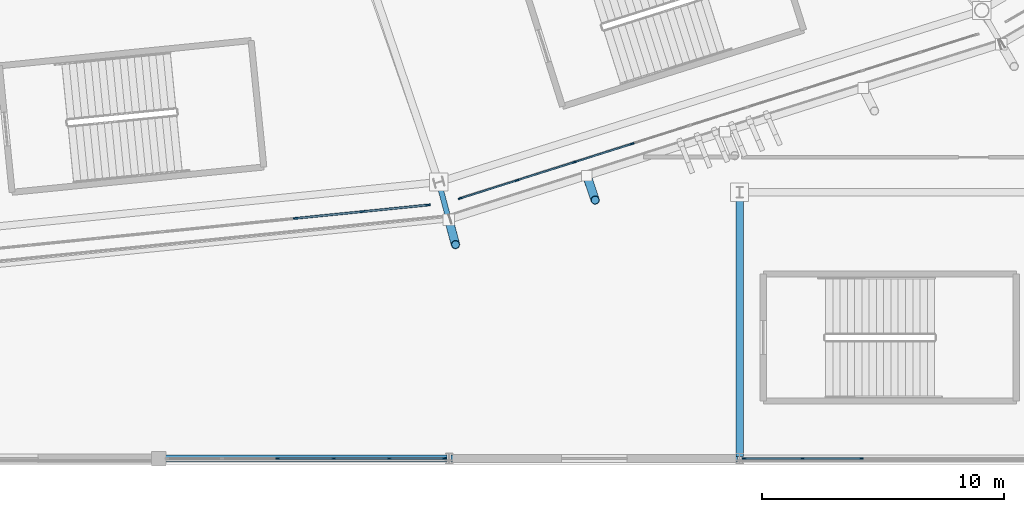
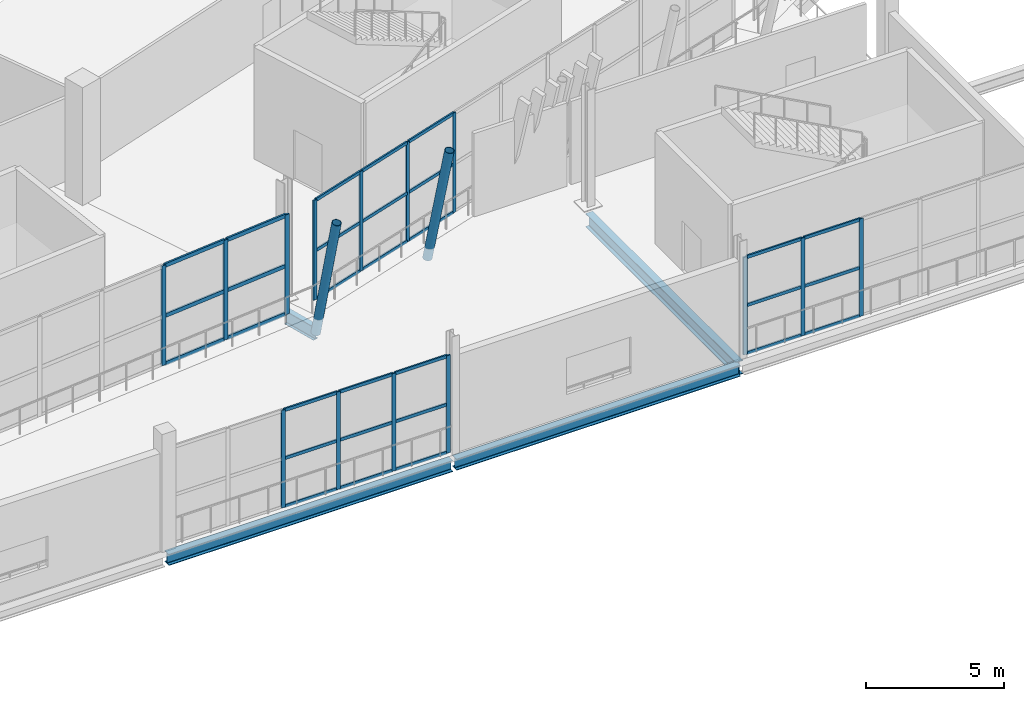
# One storey, part 49 of 178: 46 members, 4 beams, 4 elements without a shape of their own.
"""IFC4 building model written with IfcOpenShell, lengths in metres."""

from ifc_helpers import new_model, si_unit, direction, frame, origin, origin_2d, place, context, subcontext, project, spatial, rectangle, hollow_circle, i_section, extrude, material, material_profile, profile_set, type_object, element, aggregate, save


model = new_model("IFC4")

# Units and contexts
model_context = context("Model", 3, precision=1e-05, world=origin(), true_north=direction((0.0, 1.0)))
body_context = subcontext(model_context, "Body", "Model", "MODEL_VIEW")
ifc_project = project(units=[si_unit("LENGTHUNIT", "METRE"), si_unit("AREAUNIT", "SQUARE_METRE"), si_unit("VOLUMEUNIT", "CUBIC_METRE"), si_unit("PLANEANGLEUNIT", "RADIAN"), si_unit("MASSUNIT", "GRAM", prefix="KILO")], contexts=[model_context])

# Site, building, storey
site_placement = place(None, origin())
site = spatial("IfcSite", under=ifc_project, at=site_placement, CompositionType="ELEMENT")
building_placement = place(site_placement, origin())
building = spatial("IfcBuilding", under=site, at=building_placement, Name="Zlatoyarsky Gate Stadium", CompositionType="ELEMENT")
storey_placement = place(building_placement, frame((0.0, 0.0, 5.39990234375)))
storey = spatial("IfcBuildingStorey", under=building, at=storey_placement, Name="L01", CompositionType="ELEMENT", Elevation=5.39990234375)

# Curtain wall, members
ifc_material_1 = material(Name="Thermally broken anodised aluminium curtain wall", Category="aluminium")
curtain_wall_type_1 = type_object("IfcCurtainWallType", Name="MONUMENTAL ARCHED GATE GLAZING LOWER", PredefinedType="USERDEFINED", material=ifc_material_1)
curtain_wall_1_placement = place(storey_placement, origin())
curtain_wall_1 = element("IfcCurtainWall", 1, at=curtain_wall_1_placement, inside=storey, type_object=curtain_wall_type_1, Name="Curtain wall CW-L01-18", ObjectType="ARCHED GATE GLAZING", PredefinedType="USERDEFINED")
ifc_material_2 = material(Name="Anodised aluminium 6063-T6", Category="aluminium")
ifc_material_profile_1 = material_profile(ifc_material_2, rectangle(XDim=0.074951171875, YDim=0.18994140625, at=origin_2d()), Name="ALU 75X190")
ifc_profile_set_1 = profile_set([ifc_material_profile_1], Name="Anodised aluminium 6063-T6")
member_type_1 = type_object("IfcMemberType", Name="ALUMINIUM GATE MULLION 75X190", PredefinedType="MULLION", material=ifc_profile_set_1)
member_1_placement = place(storey_placement, frame((129.1640625, 9.922607421875, 0.0), z_axis=(0.0, 0.0, 1.0), x_axis=(-0.100302795257, 0.994956958498, 0.0)))
member_1 = element("IfcMember", 2, at=member_1_placement, type_object=member_type_1, Name="CW-AG1 mullion 6", PredefinedType="MULLION", context=body_context, shape_type="SweptSolid", body=[
    extrude(rectangle(XDim=0.074951171875, YDim=0.18994140625, at=origin_2d()), origin(), (0.0, 0.0, 1.0), 4.400146484375),
])
member_2_placement = place(storey_placement, frame((131.911376953125, 10.199462890625, 0.0), z_axis=(0.0, 0.0, 1.0), x_axis=(-0.100302795257, 0.994956958498, 0.0)))
member_2 = element("IfcMember", 3, at=member_2_placement, type_object=member_type_1, Name="CW-AG1 mullion 7", PredefinedType="MULLION", context=body_context, shape_type="SweptSolid", body=[
    extrude(rectangle(XDim=0.074951171875, YDim=0.18994140625, at=origin_2d()), origin(), (0.0, 0.0, 1.0), 4.400146484375),
])
member_3_placement = place(storey_placement, frame((134.621337890625, 10.47265625, 0.0), z_axis=(0.0, 0.0, 1.0), x_axis=(-0.100302795257, 0.994956958498, 0.0)))
member_3 = element("IfcMember", 4, at=member_3_placement, type_object=member_type_1, Name="CW-AG1 mullion 8", PredefinedType="MULLION", context=body_context, shape_type="SweptSolid", body=[
    extrude(rectangle(XDim=0.074951171875, YDim=0.18994140625, at=origin_2d()), origin(), (0.0, 0.0, 1.0), 4.400146484375),
])
ifc_material_profile_2 = material_profile(ifc_material_2, rectangle(XDim=0.074951171875, YDim=0.169921875, at=origin_2d()), Name="ALU 75X170")
ifc_profile_set_2 = profile_set([ifc_material_profile_2], Name="Anodised aluminium 6063-T6")
member_type_2 = type_object("IfcMemberType", Name="ALUMINIUM GATE TRANSOM 75X170", PredefinedType="USERDEFINED", material=ifc_profile_set_2)
member_4_placement = place(storey_placement, frame((129.201416015625, 9.92626953125, 0.03759765625), z_axis=(0.994953149133, 0.100340575193, 0.0), x_axis=(-0.100340575193, 0.994953149133, 0.0)))
member_4 = element("IfcMember", 5, at=member_4_placement, type_object=member_type_2, Name="CW-AG1 transom 6.1", ObjectType="TRANSOM", PredefinedType="USERDEFINED", context=body_context, shape_type="SweptSolid", body=[
    extrude(rectangle(XDim=0.074951171875, YDim=0.169921875, at=origin_2d()), origin(), (0.0, 0.0, 1.0), 2.686279296875),
])
member_5_placement = place(storey_placement, frame((129.201416015625, 9.92626953125, 2.150146484375), z_axis=(0.994953149133, 0.100340575193, 0.0), x_axis=(-0.100340575193, 0.994953149133, 0.0)))
member_5 = element("IfcMember", 6, at=member_5_placement, type_object=member_type_2, Name="CW-AG1 transom 6.2", ObjectType="TRANSOM", PredefinedType="USERDEFINED", context=body_context, shape_type="SweptSolid", body=[
    extrude(rectangle(XDim=0.074951171875, YDim=0.169921875, at=origin_2d()), origin(), (0.0, 0.0, 1.0), 2.686279296875),
])
member_6_placement = place(storey_placement, frame((129.201416015625, 9.92626953125, 4.362548828125), z_axis=(0.994953149133, 0.100340575193, 0.0), x_axis=(-0.100340575193, 0.994953149133, 0.0)))
member_6 = element("IfcMember", 7, at=member_6_placement, type_object=member_type_2, Name="CW-AG1 transom 6.3", ObjectType="TRANSOM", PredefinedType="USERDEFINED", context=body_context, shape_type="SweptSolid", body=[
    extrude(rectangle(XDim=0.074951171875, YDim=0.169921875, at=origin_2d()), origin(), (0.0, 0.0, 1.0), 2.686279296875),
])
member_7_placement = place(storey_placement, frame((131.94873046875, 10.203369140625, 0.03759765625), z_axis=(0.994958393325, 0.100288561417, 0.0), x_axis=(-0.100288561417, 0.994958393325, 0.0)))
member_7 = element("IfcMember", 8, at=member_7_placement, type_object=member_type_2, Name="CW-AG1 transom 7.1", ObjectType="TRANSOM", PredefinedType="USERDEFINED", context=body_context, shape_type="SweptSolid", body=[
    extrude(rectangle(XDim=0.074951171875, YDim=0.169921875, at=origin_2d()), origin(), (0.0, 0.0, 1.0), 2.648681640625),
])
member_8_placement = place(storey_placement, frame((131.94873046875, 10.203369140625, 2.150146484375), z_axis=(0.994958393325, 0.100288561417, 0.0), x_axis=(-0.100288561417, 0.994958393325, 0.0)))
member_8 = element("IfcMember", 9, at=member_8_placement, type_object=member_type_2, Name="CW-AG1 transom 7.2", ObjectType="TRANSOM", PredefinedType="USERDEFINED", context=body_context, shape_type="SweptSolid", body=[
    extrude(rectangle(XDim=0.074951171875, YDim=0.169921875, at=origin_2d()), origin(), (0.0, 0.0, 1.0), 2.648681640625),
])
member_9_placement = place(storey_placement, frame((131.94873046875, 10.203369140625, 4.362548828125), z_axis=(0.994958393325, 0.100288561417, 0.0), x_axis=(-0.100288561417, 0.994958393325, 0.0)))
member_9 = element("IfcMember", 10, at=member_9_placement, type_object=member_type_2, Name="CW-AG1 transom 7.3", ObjectType="TRANSOM", PredefinedType="USERDEFINED", context=body_context, shape_type="SweptSolid", body=[
    extrude(rectangle(XDim=0.074951171875, YDim=0.169921875, at=origin_2d()), origin(), (0.0, 0.0, 1.0), 2.648681640625),
])
aggregate(curtain_wall_1, [member_1, member_2, member_3, member_4, member_5, member_6, member_7, member_8, member_9])

curtain_wall_type_2 = type_object("IfcCurtainWallType", Name="UNITISED HOSPITALITY GLAZING L01", PredefinedType="USERDEFINED", material=ifc_material_1)
curtain_wall_2_placement = place(storey_placement, origin())
curtain_wall_2 = element("IfcCurtainWall", 11, at=curtain_wall_2_placement, inside=storey, type_object=curtain_wall_type_2, Name="Curtain wall CW-L01-19", ObjectType="UNITISED GLAZING", PredefinedType="USERDEFINED")
ifc_material_profile_3 = material_profile(ifc_material_2, rectangle(XDim=0.06494140625, YDim=0.159912109375, at=origin_2d()), Name="ALU 65X160")
ifc_profile_set_3 = profile_set([ifc_material_profile_3], Name="Anodised aluminium 6063-T6")
member_type_3 = type_object("IfcMemberType", Name="ALUMINIUM MULLION 65X160", PredefinedType="MULLION", material=ifc_profile_set_3)
member_10_placement = place(storey_placement, frame((135.955810546875, 10.748046875, 0.0), z_axis=(0.0, 0.0, 1.0), x_axis=(-0.302333944964, 0.953202069722, 0.0)))
member_10 = element("IfcMember", 12, at=member_10_placement, type_object=member_type_3, Name="CW-UG1 mullion 1", PredefinedType="MULLION", context=body_context, shape_type="SweptSolid", body=[
    extrude(rectangle(XDim=0.06494140625, YDim=0.159912109375, at=origin_2d()), origin(), (0.0, 0.0, 1.0), 4.400146484375),
])
member_11_placement = place(storey_placement, frame((138.3037109375, 11.49267578125, 0.0), z_axis=(0.0, 0.0, 1.0), x_axis=(-0.302333944964, 0.953202069722, 0.0)))
member_11 = element("IfcMember", 13, at=member_11_placement, type_object=member_type_3, Name="CW-UG1 mullion 2", PredefinedType="MULLION", context=body_context, shape_type="SweptSolid", body=[
    extrude(rectangle(XDim=0.06494140625, YDim=0.159912109375, at=origin_2d()), origin(), (0.0, 0.0, 1.0), 4.400146484375),
])
member_12_placement = place(storey_placement, frame((140.6826171875, 12.247314453125, 0.0), z_axis=(0.0, 0.0, 1.0), x_axis=(-0.302333944964, 0.953202069722, 0.0)))
member_12 = element("IfcMember", 14, at=member_12_placement, type_object=member_type_3, Name="CW-UG1 mullion 3", PredefinedType="MULLION", context=body_context, shape_type="SweptSolid", body=[
    extrude(rectangle(XDim=0.06494140625, YDim=0.159912109375, at=origin_2d()), origin(), (0.0, 0.0, 1.0), 4.400146484375),
])
member_13_placement = place(storey_placement, frame((143.0615234375, 13.001708984375, 0.0), z_axis=(0.0, 0.0, 1.0), x_axis=(-0.302333944964, 0.953202069722, 0.0)))
member_13 = element("IfcMember", 15, at=member_13_placement, type_object=member_type_3, Name="CW-UG1 mullion 4", PredefinedType="MULLION", context=body_context, shape_type="SweptSolid", body=[
    extrude(rectangle(XDim=0.06494140625, YDim=0.159912109375, at=origin_2d()), origin(), (0.0, 0.0, 1.0), 4.400146484375),
])

curtain_wall_type_3 = type_object("IfcCurtainWallType", Name="WINTER GARDEN CONSERVATORY GLAZING", PredefinedType="USERDEFINED", material=ifc_material_1)
curtain_wall_3_placement = place(storey_placement, origin())
curtain_wall_3 = element("IfcCurtainWall", 16, at=curtain_wall_3_placement, inside=storey, type_object=curtain_wall_type_3, Name="Curtain wall CW-V3_SOUTH-L01-159", ObjectType="UNITISED GLAZING", PredefinedType="USERDEFINED")
member_14_placement = place(storey_placement, frame((128.42236328125, 0.0, 0.0), z_axis=(0.0, 0.0, 1.0), x_axis=(0.0, 1.0, 0.0)))
member_14 = element("IfcMember", 17, at=member_14_placement, type_object=member_type_3, Name="CW-WG1 mullion 3", PredefinedType="MULLION", context=body_context, shape_type="SweptSolid", body=[
    extrude(rectangle(XDim=0.06494140625, YDim=0.159912109375, at=origin_2d()), origin(), (0.0, 0.0, 1.0), 4.300048828125),
])
member_15_placement = place(storey_placement, frame((130.7275390625, 0.0, 0.0), z_axis=(0.0, 0.0, 1.0), x_axis=(0.0, 1.0, 0.0)))
member_15 = element("IfcMember", 18, at=member_15_placement, type_object=member_type_3, Name="CW-WG1 mullion 4", PredefinedType="MULLION", context=body_context, shape_type="SweptSolid", body=[
    extrude(rectangle(XDim=0.06494140625, YDim=0.159912109375, at=origin_2d()), origin(), (0.0, 0.0, 1.0), 4.300048828125),
])
member_16_placement = place(storey_placement, frame((133.03271484375, 0.0, 0.0), z_axis=(0.0, 0.0, 1.0), x_axis=(0.0, 1.0, 0.0)))
member_16 = element("IfcMember", 19, at=member_16_placement, type_object=member_type_3, Name="CW-WG1 mullion 5", PredefinedType="MULLION", context=body_context, shape_type="SweptSolid", body=[
    extrude(rectangle(XDim=0.06494140625, YDim=0.159912109375, at=origin_2d()), origin(), (0.0, 0.0, 1.0), 4.300048828125),
])
member_17_placement = place(storey_placement, frame((135.305419921875, 0.0, 0.0), z_axis=(0.0, 0.0, 1.0), x_axis=(0.0, 1.0, 0.0)))
member_17 = element("IfcMember", 20, at=member_17_placement, type_object=member_type_3, Name="CW-WG1 mullion 6", PredefinedType="MULLION", context=body_context, shape_type="SweptSolid", body=[
    extrude(rectangle(XDim=0.06494140625, YDim=0.159912109375, at=origin_2d()), origin(), (0.0, 0.0, 1.0), 4.300048828125),
])

curtain_wall_4_placement = place(storey_placement, origin())
curtain_wall_4 = element("IfcCurtainWall", 21, at=curtain_wall_4_placement, inside=storey, type_object=curtain_wall_type_3, Name="Curtain wall CW-V3_SOUTH-L01-160", ObjectType="UNITISED GLAZING", PredefinedType="USERDEFINED")
member_18_placement = place(storey_placement, frame((147.694580078125, 0.0, 0.0), z_axis=(0.0, 0.0, 1.0), x_axis=(0.0, 1.0, 0.0)))
member_18 = element("IfcMember", 22, at=member_18_placement, type_object=member_type_3, Name="CW-WG1 mullion 1", PredefinedType="MULLION", context=body_context, shape_type="SweptSolid", body=[
    extrude(rectangle(XDim=0.06494140625, YDim=0.159912109375, at=origin_2d()), origin(), (0.0, 0.0, 1.0), 4.300048828125),
])
member_19_placement = place(storey_placement, frame((150.09716796875, 0.0, 0.0), z_axis=(0.0, 0.0, 1.0), x_axis=(0.0, 1.0, 0.0)))
member_19 = element("IfcMember", 23, at=member_19_placement, type_object=member_type_3, Name="CW-WG1 mullion 2", PredefinedType="MULLION", context=body_context, shape_type="SweptSolid", body=[
    extrude(rectangle(XDim=0.06494140625, YDim=0.159912109375, at=origin_2d()), origin(), (0.0, 0.0, 1.0), 4.300048828125),
])
member_20_placement = place(storey_placement, frame((152.532470703125, 0.0, 0.0), z_axis=(0.0, 0.0, 1.0), x_axis=(0.0, 1.0, 0.0)))
member_20 = element("IfcMember", 24, at=member_20_placement, type_object=member_type_3, Name="CW-WG1 mullion 3", PredefinedType="MULLION", context=body_context, shape_type="SweptSolid", body=[
    extrude(rectangle(XDim=0.06494140625, YDim=0.159912109375, at=origin_2d()), origin(), (0.0, 0.0, 1.0), 4.300048828125),
])

# Member
ifc_material_profile_4 = material_profile(ifc_material_2, rectangle(XDim=0.06494140625, YDim=0.139892578125, at=origin_2d()), Name="ALU 65X140")
ifc_profile_set_4 = profile_set([ifc_material_profile_4], Name="Anodised aluminium 6063-T6")
member_type_4 = type_object("IfcMemberType", Name="ALUMINIUM TRANSOM 65X140", PredefinedType="USERDEFINED", material=ifc_profile_set_4)
member_21_placement = place(storey_placement, frame((135.98681640625, 10.7578125, 0.03271484375), z_axis=(0.953194146276, 0.302358924964, 0.0), x_axis=(-0.302358924964, 0.953194146276, 0.0)))
member_21 = element("IfcMember", 25, at=member_21_placement, type_object=member_type_4, Name="CW-UG1 transom 1.1", ObjectType="TRANSOM", PredefinedType="USERDEFINED", context=body_context, shape_type="SweptSolid", body=[
    extrude(rectangle(XDim=0.06494140625, YDim=0.139892578125, at=origin_2d()), origin(), (0.0, 0.0, 1.0), 2.398193359375),
])

member_22_placement = place(storey_placement, frame((135.98681640625, 10.7578125, 2.150146484375), z_axis=(0.953194146276, 0.302358924964, 0.0), x_axis=(-0.302358924964, 0.953194146276, 0.0)))
member_22 = element("IfcMember", 26, at=member_22_placement, type_object=member_type_4, Name="CW-UG1 transom 1.2", ObjectType="TRANSOM", PredefinedType="USERDEFINED", context=body_context, shape_type="SweptSolid", body=[
    extrude(rectangle(XDim=0.06494140625, YDim=0.139892578125, at=origin_2d()), origin(), (0.0, 0.0, 1.0), 2.398193359375),
])

member_23_placement = place(storey_placement, frame((135.98681640625, 10.7578125, 4.36767578125), z_axis=(0.953194146276, 0.302358924964, 0.0), x_axis=(-0.302358924964, 0.953194146276, 0.0)))
member_23 = element("IfcMember", 27, at=member_23_placement, type_object=member_type_4, Name="CW-UG1 transom 1.3", ObjectType="TRANSOM", PredefinedType="USERDEFINED", context=body_context, shape_type="SweptSolid", body=[
    extrude(rectangle(XDim=0.06494140625, YDim=0.139892578125, at=origin_2d()), origin(), (0.0, 0.0, 1.0), 2.398193359375),
])

member_24_placement = place(storey_placement, frame((138.334716796875, 11.50244140625, 0.03271484375), z_axis=(0.953202400963, 0.302332900622, 0.0), x_axis=(-0.302332900622, 0.953202400963, 0.0)))
member_24 = element("IfcMember", 28, at=member_24_placement, type_object=member_type_4, Name="CW-UG1 transom 2.1", ObjectType="TRANSOM", PredefinedType="USERDEFINED", context=body_context, shape_type="SweptSolid", body=[
    extrude(rectangle(XDim=0.06494140625, YDim=0.139892578125, at=origin_2d()), origin(), (0.0, 0.0, 1.0), 2.4306640625),
])

member_25_placement = place(storey_placement, frame((138.334716796875, 11.50244140625, 2.150146484375), z_axis=(0.953202400963, 0.302332900622, 0.0), x_axis=(-0.302332900622, 0.953202400963, 0.0)))
member_25 = element("IfcMember", 29, at=member_25_placement, type_object=member_type_4, Name="CW-UG1 transom 2.2", ObjectType="TRANSOM", PredefinedType="USERDEFINED", context=body_context, shape_type="SweptSolid", body=[
    extrude(rectangle(XDim=0.06494140625, YDim=0.139892578125, at=origin_2d()), origin(), (0.0, 0.0, 1.0), 2.4306640625),
])

member_26_placement = place(storey_placement, frame((138.334716796875, 11.50244140625, 4.36767578125), z_axis=(0.953202400963, 0.302332900622, 0.0), x_axis=(-0.302332900622, 0.953202400963, 0.0)))
member_26 = element("IfcMember", 30, at=member_26_placement, type_object=member_type_4, Name="CW-UG1 transom 2.3", ObjectType="TRANSOM", PredefinedType="USERDEFINED", context=body_context, shape_type="SweptSolid", body=[
    extrude(rectangle(XDim=0.06494140625, YDim=0.139892578125, at=origin_2d()), origin(), (0.0, 0.0, 1.0), 2.4306640625),
])

member_27_placement = place(storey_placement, frame((140.713623046875, 12.257080078125, 0.03271484375), z_axis=(0.953202400963, 0.302332900622, 0.0), x_axis=(-0.302332900622, 0.953202400963, 0.0)))
member_27 = element("IfcMember", 31, at=member_27_placement, type_object=member_type_4, Name="CW-UG1 transom 3.1", ObjectType="TRANSOM", PredefinedType="USERDEFINED", context=body_context, shape_type="SweptSolid", body=[
    extrude(rectangle(XDim=0.06494140625, YDim=0.139892578125, at=origin_2d()), origin(), (0.0, 0.0, 1.0), 2.4306640625),
])

member_28_placement = place(storey_placement, frame((140.713623046875, 12.257080078125, 2.150146484375), z_axis=(0.953202400963, 0.302332900622, 0.0), x_axis=(-0.302332900622, 0.953202400963, 0.0)))
member_28 = element("IfcMember", 32, at=member_28_placement, type_object=member_type_4, Name="CW-UG1 transom 3.2", ObjectType="TRANSOM", PredefinedType="USERDEFINED", context=body_context, shape_type="SweptSolid", body=[
    extrude(rectangle(XDim=0.06494140625, YDim=0.139892578125, at=origin_2d()), origin(), (0.0, 0.0, 1.0), 2.4306640625),
])

member_29_placement = place(storey_placement, frame((140.713623046875, 12.257080078125, 4.36767578125), z_axis=(0.953202400963, 0.302332900622, 0.0), x_axis=(-0.302332900622, 0.953202400963, 0.0)))
member_29 = element("IfcMember", 33, at=member_29_placement, type_object=member_type_4, Name="CW-UG1 transom 3.3", ObjectType="TRANSOM", PredefinedType="USERDEFINED", context=body_context, shape_type="SweptSolid", body=[
    extrude(rectangle(XDim=0.06494140625, YDim=0.139892578125, at=origin_2d()), origin(), (0.0, 0.0, 1.0), 2.4306640625),
])

aggregate(curtain_wall_2, [member_10, member_11, member_12, member_13, member_21, member_22, member_23, member_24, member_25, member_26, member_27, member_28, member_29])

member_30_placement = place(storey_placement, frame((128.454833984375, 0.0, 0.03271484375), z_axis=(1.0, 0.0, 0.0), x_axis=(0.0, 1.0, 0.0)))
member_30 = element("IfcMember", 34, at=member_30_placement, type_object=member_type_4, Name="CW-WG1 transom 3.1", ObjectType="TRANSOM", PredefinedType="USERDEFINED", context=body_context, shape_type="SweptSolid", body=[
    extrude(rectangle(XDim=0.06494140625, YDim=0.139892578125, at=origin_2d()), origin(), (0.0, 0.0, 1.0), 2.240234375),
])

member_31_placement = place(storey_placement, frame((128.454833984375, 0.0, 2.150146484375), z_axis=(1.0, 0.0, 0.0), x_axis=(0.0, 1.0, 0.0)))
member_31 = element("IfcMember", 35, at=member_31_placement, type_object=member_type_4, Name="CW-WG1 transom 3.2", ObjectType="TRANSOM", PredefinedType="USERDEFINED", context=body_context, shape_type="SweptSolid", body=[
    extrude(rectangle(XDim=0.06494140625, YDim=0.139892578125, at=origin_2d()), origin(), (0.0, 0.0, 1.0), 2.240234375),
])

member_32_placement = place(storey_placement, frame((128.454833984375, 0.0, 4.267578125), z_axis=(1.0, 0.0, 0.0), x_axis=(0.0, 1.0, 0.0)))
member_32 = element("IfcMember", 36, at=member_32_placement, type_object=member_type_4, Name="CW-WG1 transom 3.3", ObjectType="TRANSOM", PredefinedType="USERDEFINED", context=body_context, shape_type="SweptSolid", body=[
    extrude(rectangle(XDim=0.06494140625, YDim=0.139892578125, at=origin_2d()), origin(), (0.0, 0.0, 1.0), 2.240234375),
])

member_33_placement = place(storey_placement, frame((130.760009765625, 0.0, 0.03271484375), z_axis=(1.0, 0.0, 0.0), x_axis=(0.0, 1.0, 0.0)))
member_33 = element("IfcMember", 37, at=member_33_placement, type_object=member_type_4, Name="CW-WG1 transom 4.1", ObjectType="TRANSOM", PredefinedType="USERDEFINED", context=body_context, shape_type="SweptSolid", body=[
    extrude(rectangle(XDim=0.06494140625, YDim=0.139892578125, at=origin_2d()), origin(), (0.0, 0.0, 1.0), 2.240234375),
])

member_34_placement = place(storey_placement, frame((130.760009765625, 0.0, 2.150146484375), z_axis=(1.0, 0.0, 0.0), x_axis=(0.0, 1.0, 0.0)))
member_34 = element("IfcMember", 38, at=member_34_placement, type_object=member_type_4, Name="CW-WG1 transom 4.2", ObjectType="TRANSOM", PredefinedType="USERDEFINED", context=body_context, shape_type="SweptSolid", body=[
    extrude(rectangle(XDim=0.06494140625, YDim=0.139892578125, at=origin_2d()), origin(), (0.0, 0.0, 1.0), 2.240234375),
])

member_35_placement = place(storey_placement, frame((130.760009765625, 0.0, 4.267578125), z_axis=(1.0, 0.0, 0.0), x_axis=(0.0, 1.0, 0.0)))
member_35 = element("IfcMember", 39, at=member_35_placement, type_object=member_type_4, Name="CW-WG1 transom 4.3", ObjectType="TRANSOM", PredefinedType="USERDEFINED", context=body_context, shape_type="SweptSolid", body=[
    extrude(rectangle(XDim=0.06494140625, YDim=0.139892578125, at=origin_2d()), origin(), (0.0, 0.0, 1.0), 2.240234375),
])

member_36_placement = place(storey_placement, frame((133.065185546875, 0.0, 0.03271484375), z_axis=(1.0, 0.0, 0.0), x_axis=(0.0, 1.0, 0.0)))
member_36 = element("IfcMember", 40, at=member_36_placement, type_object=member_type_4, Name="CW-WG1 transom 5.1", ObjectType="TRANSOM", PredefinedType="USERDEFINED", context=body_context, shape_type="SweptSolid", body=[
    extrude(rectangle(XDim=0.06494140625, YDim=0.139892578125, at=origin_2d()), origin(), (0.0, 0.0, 1.0), 2.207763671875),
])

member_37_placement = place(storey_placement, frame((133.065185546875, 0.0, 2.150146484375), z_axis=(1.0, 0.0, 0.0), x_axis=(0.0, 1.0, 0.0)))
member_37 = element("IfcMember", 41, at=member_37_placement, type_object=member_type_4, Name="CW-WG1 transom 5.2", ObjectType="TRANSOM", PredefinedType="USERDEFINED", context=body_context, shape_type="SweptSolid", body=[
    extrude(rectangle(XDim=0.06494140625, YDim=0.139892578125, at=origin_2d()), origin(), (0.0, 0.0, 1.0), 2.207763671875),
])

member_38_placement = place(storey_placement, frame((133.065185546875, 0.0, 4.267578125), z_axis=(1.0, 0.0, 0.0), x_axis=(0.0, 1.0, 0.0)))
member_38 = element("IfcMember", 42, at=member_38_placement, type_object=member_type_4, Name="CW-WG1 transom 5.3", ObjectType="TRANSOM", PredefinedType="USERDEFINED", context=body_context, shape_type="SweptSolid", body=[
    extrude(rectangle(XDim=0.06494140625, YDim=0.139892578125, at=origin_2d()), origin(), (0.0, 0.0, 1.0), 2.207763671875),
])

aggregate(curtain_wall_3, [member_14, member_15, member_16, member_17, member_30, member_31, member_32, member_33, member_34, member_35, member_36, member_37, member_38])

member_39_placement = place(storey_placement, frame((147.72705078125, 0.0, 0.03271484375), z_axis=(1.0, 0.0, 0.0), x_axis=(0.0, 1.0, 0.0)))
member_39 = element("IfcMember", 43, at=member_39_placement, type_object=member_type_4, Name="CW-WG1 transom 1.1", ObjectType="TRANSOM", PredefinedType="USERDEFINED", context=body_context, shape_type="SweptSolid", body=[
    extrude(rectangle(XDim=0.06494140625, YDim=0.139892578125, at=origin_2d()), origin(), (0.0, 0.0, 1.0), 2.337646484375),
])

member_40_placement = place(storey_placement, frame((147.72705078125, 0.0, 2.150146484375), z_axis=(1.0, 0.0, 0.0), x_axis=(0.0, 1.0, 0.0)))
member_40 = element("IfcMember", 44, at=member_40_placement, type_object=member_type_4, Name="CW-WG1 transom 1.2", ObjectType="TRANSOM", PredefinedType="USERDEFINED", context=body_context, shape_type="SweptSolid", body=[
    extrude(rectangle(XDim=0.06494140625, YDim=0.139892578125, at=origin_2d()), origin(), (0.0, 0.0, 1.0), 2.337646484375),
])

member_41_placement = place(storey_placement, frame((147.72705078125, 0.0, 4.267578125), z_axis=(1.0, 0.0, 0.0), x_axis=(0.0, 1.0, 0.0)))
member_41 = element("IfcMember", 45, at=member_41_placement, type_object=member_type_4, Name="CW-WG1 transom 1.3", ObjectType="TRANSOM", PredefinedType="USERDEFINED", context=body_context, shape_type="SweptSolid", body=[
    extrude(rectangle(XDim=0.06494140625, YDim=0.139892578125, at=origin_2d()), origin(), (0.0, 0.0, 1.0), 2.337646484375),
])

member_42_placement = place(storey_placement, frame((150.129638671875, 0.0, 0.03271484375), z_axis=(1.0, 0.0, 0.0), x_axis=(0.0, 1.0, 0.0)))
member_42 = element("IfcMember", 46, at=member_42_placement, type_object=member_type_4, Name="CW-WG1 transom 2.1", ObjectType="TRANSOM", PredefinedType="USERDEFINED", context=body_context, shape_type="SweptSolid", body=[
    extrude(rectangle(XDim=0.06494140625, YDim=0.139892578125, at=origin_2d()), origin(), (0.0, 0.0, 1.0), 2.370361328125),
])

member_43_placement = place(storey_placement, frame((150.129638671875, 0.0, 2.150146484375), z_axis=(1.0, 0.0, 0.0), x_axis=(0.0, 1.0, 0.0)))
member_43 = element("IfcMember", 47, at=member_43_placement, type_object=member_type_4, Name="CW-WG1 transom 2.2", ObjectType="TRANSOM", PredefinedType="USERDEFINED", context=body_context, shape_type="SweptSolid", body=[
    extrude(rectangle(XDim=0.06494140625, YDim=0.139892578125, at=origin_2d()), origin(), (0.0, 0.0, 1.0), 2.370361328125),
])

member_44_placement = place(storey_placement, frame((150.129638671875, 0.0, 4.267578125), z_axis=(1.0, 0.0, 0.0), x_axis=(0.0, 1.0, 0.0)))
member_44 = element("IfcMember", 48, at=member_44_placement, type_object=member_type_4, Name="CW-WG1 transom 2.3", ObjectType="TRANSOM", PredefinedType="USERDEFINED", context=body_context, shape_type="SweptSolid", body=[
    extrude(rectangle(XDim=0.06494140625, YDim=0.139892578125, at=origin_2d()), origin(), (0.0, 0.0, 1.0), 2.370361328125),
])

aggregate(curtain_wall_4, [member_18, member_19, member_20, member_39, member_40, member_41, member_42, member_43, member_44])

# Beam
ifc_material_3 = material(Name="Steel S355", Category="steel")
ifc_material_profile_5 = material_profile(ifc_material_3, i_section(OverallWidth=0.219970703125, OverallDepth=0.60009765625, WebThickness=0.011962890625, FlangeThickness=0.01904296875, FilletRadius=0.02392578125, at=origin_2d()), Name="IPE 600")
ifc_profile_set_5 = profile_set([ifc_material_profile_5], Name="Steel S355")
beam_type_1 = type_object("IfcBeamType", Name="STEEL CANTILEVER FLOOR BEAM IPE 600", PredefinedType="BEAM", material=ifc_profile_set_5)
beam_1_placement = place(storey_placement, frame((135.101318359375, 11.303466796875, -0.760009765625), z_axis=(0.258785268971, -0.965934875943, 0.0), x_axis=(0.965934875943, 0.258785268971, 0.0)))
element("IfcBeam", 49, at=beam_1_placement, inside=storey, type_object=beam_type_1, Name="Beam B-IPE600 BM-L01-OUT-19", PredefinedType="BEAM", context=body_context, shape_type="SweptSolid", body=[
    extrude(i_section(OverallWidth=0.219970703125, OverallDepth=0.60009765625, WebThickness=0.011962890625, FlangeThickness=0.01904296875, FilletRadius=0.02392578125, at=origin_2d()), origin(), (0.0, 0.0, 1.0), 1.48876953125),
])

# Members
ifc_material_profile_6 = material_profile(ifc_material_3, hollow_circle(Radius=0.177734375, WallThickness=0.02001953125, at=origin_2d()), Name="CHS 355.6X20")
ifc_profile_set_6 = profile_set([ifc_material_profile_6], Name="Steel S355")
member_type_5 = type_object("IfcMemberType", Name="STEEL LEANING RIB RING STRUT CHS 355.6X20", PredefinedType="STRUT", material=ifc_profile_set_6)
member_45_placement = place(storey_placement, frame((135.486572265625, 9.865478515625, -0.760009765625), z_axis=(0.050341687728, -0.187969007318, 0.980883972121), x_axis=(0.965957238494, 0.258701784688, 0.0)))
element("IfcMember", 50, at=member_45_placement, inside=storey, type_object=member_type_5, Name="Leaning ring strut 19 L01 to L02", PredefinedType="STRUT", context=body_context, shape_type="SweptSolid", body=[
    extrude(hollow_circle(Radius=0.177734375, WallThickness=0.02001953125, at=origin_2d()), origin(), (0.0, 0.0, 1.0), 5.48486328125),
])
member_46_placement = place(storey_placement, frame((141.19091796875, 11.678955078125, -0.5498046875), z_axis=(0.063938499035, -0.18856127959, 0.979977812086), x_axis=(0.947036218276, 0.321126768229, 0.0)))
element("IfcMember", 51, at=member_46_placement, inside=storey, type_object=member_type_5, Name="Outward-leaning bowl louvre fin rib L01 19-1", PredefinedType="STRUT", context=body_context, shape_type="SweptSolid", body=[
    extrude(hollow_circle(Radius=0.177734375, WallThickness=0.02001953125, at=origin_2d()), origin(), (0.0, 0.0, 1.0), 5.32666015625),
])

# Beams
ifc_material_profile_7 = material_profile(ifc_material_3, i_section(OverallWidth=0.300048828125, OverallDepth=0.5, WebThickness=0.014404296875, FlangeThickness=0.028076171875, FilletRadius=0.027099609375, at=origin_2d()), Name="HEB 500")
ifc_profile_set_7 = profile_set([ifc_material_profile_7], Name="Steel S355")
beam_type_2 = type_object("IfcBeamType", Name="STEEL PRIMARY GIRDER HEB 500", PredefinedType="BEAM", material=ifc_profile_set_7)
for number, where, z_axis, x_axis, name in (
    (52, (123.580078125, 0.0, -0.5498046875), (1.0, 0.0, 0.0), (0.0, 1.0, 0.0), "Beam G-HEB500 BM-L01-WGX-11-A"),
    (53, (135.580078125, 0.0, -0.5498046875), (1.0, 0.0, 0.0), (0.0, 1.0, 0.0), "Beam G-HEB500 BM-L01-WGX-12-A"),
):
    element("IfcBeam", number, at=place(storey_placement, frame(where, z_axis=z_axis, x_axis=x_axis)), inside=storey, type_object=beam_type_2, Name=name, PredefinedType="BEAM", context=body_context, shape_type="SweptSolid", body=[
        extrude(i_section(OverallWidth=0.300048828125, OverallDepth=0.5, WebThickness=0.014404296875, FlangeThickness=0.028076171875, FilletRadius=0.027099609375, at=origin_2d()), origin(), (0.0, 0.0, 1.0), 11.83984375),
    ])
ifc_material_profile_8 = material_profile(ifc_material_3, i_section(OverallWidth=0.300048828125, OverallDepth=0.60009765625, WebThickness=0.015380859375, FlangeThickness=0.030029296875, FilletRadius=0.027099609375, at=origin_2d()), Name="HEB 600")
ifc_profile_set_8 = profile_set([ifc_material_profile_8], Name="Steel S355")
beam_type_3 = type_object("IfcBeamType", Name="STEEL PRIMARY GIRDER HEB 600", PredefinedType="BEAM", material=ifc_profile_set_8)
beam_2_placement = place(storey_placement, frame((147.5, 0.080078125, -0.599853515625), z_axis=(0.0, 1.0, 0.0), x_axis=(-1.0, 0.0, 0.0)))
element("IfcBeam", 54, at=beam_2_placement, inside=storey, type_object=beam_type_3, Name="Beam G-HEB600 BM-L01-WGY-13-A", PredefinedType="BEAM", context=body_context, shape_type="SweptSolid", body=[
    extrude(i_section(OverallWidth=0.300048828125, OverallDepth=0.60009765625, WebThickness=0.015380859375, FlangeThickness=0.030029296875, FilletRadius=0.027099609375, at=origin_2d()), origin(), (0.0, 0.0, 1.0), 10.83984375),
])

save(model, "model.ifc")
